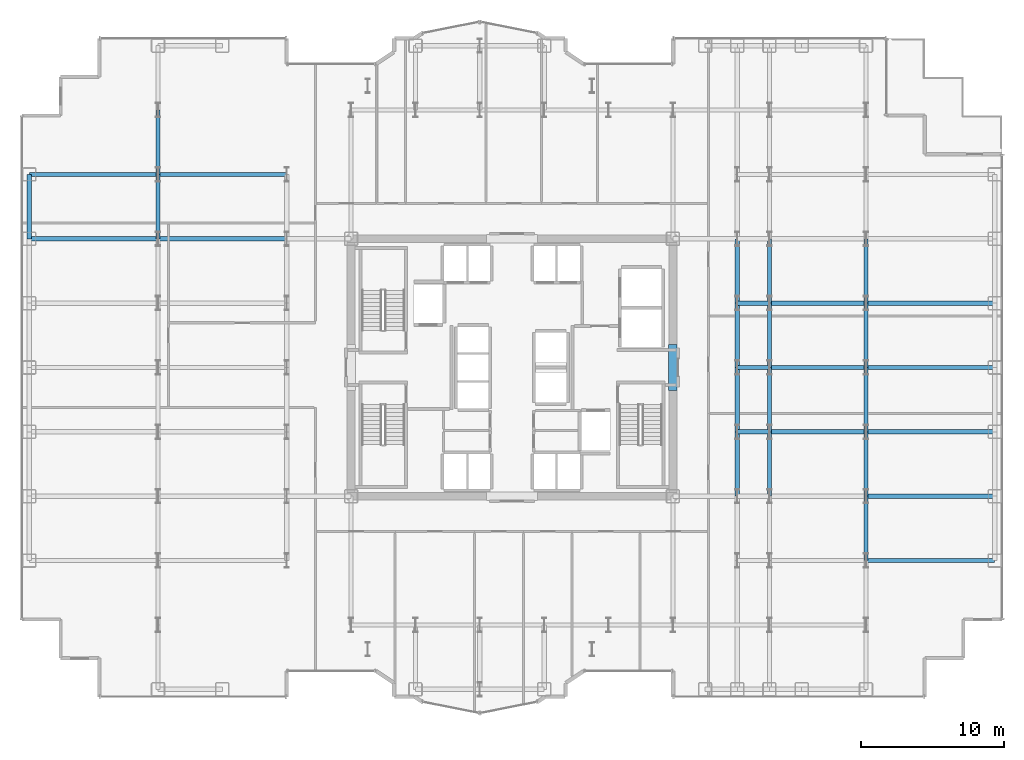
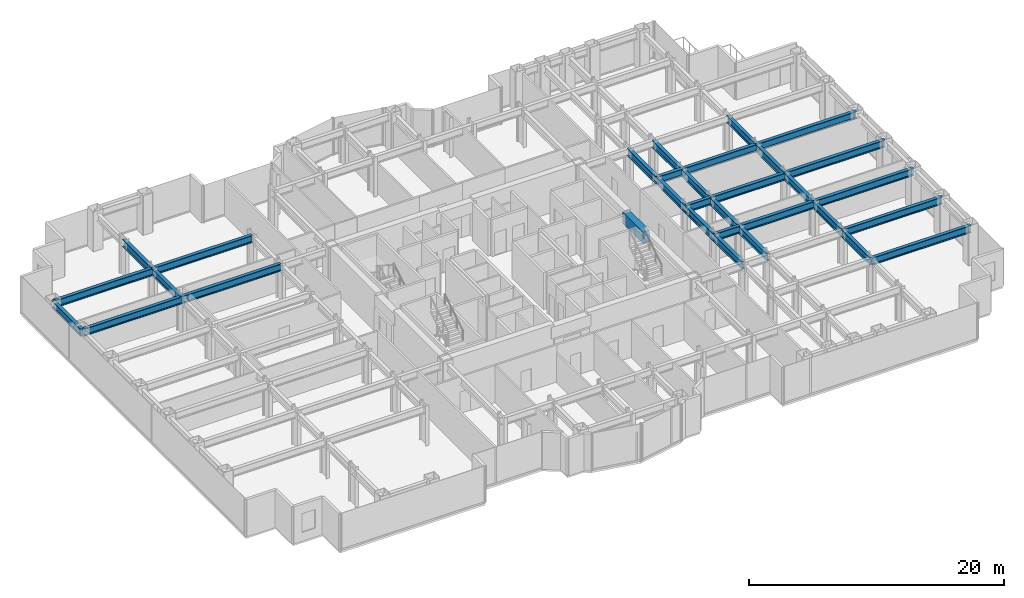
# One storey, part 8 of 26: 32 beams.
"""IFC4 building model written with IfcOpenShell, lengths in metres."""

from ifc_helpers import new_model, si_unit, direction, frame, origin, origin_2d, place, context, subcontext, project, spatial, rectangle, i_section, extrude, source, transform, mapped, material, material_profile, profile_set, type_object, element, save


model = new_model("IFC4")

# Units and contexts
model_context = context("Model", 3, precision=1e-05, world=origin(), true_north=direction((0.0, 1.0)))
body_context = subcontext(model_context, "Body", "Model", "MODEL_VIEW")
ifc_project = project(units=[si_unit("LENGTHUNIT", "METRE"), si_unit("AREAUNIT", "SQUARE_METRE"), si_unit("VOLUMEUNIT", "CUBIC_METRE"), si_unit("PLANEANGLEUNIT", "RADIAN"), si_unit("MASSUNIT", "GRAM", prefix="KILO")], contexts=[model_context])

# Site, building, storey
site_placement = place(None, origin())
site = spatial("IfcSite", under=ifc_project, at=site_placement, CompositionType="ELEMENT")
building_placement = place(site_placement, origin())
building = spatial("IfcBuilding", under=site, at=building_placement, Name="Nefas-Gora Pilgrimage Tower", CompositionType="ELEMENT")
storey_placement = place(building_placement, frame((0.0, 0.0, 106.0)))
storey = spatial("IfcBuildingStorey", under=building, at=storey_placement, Name="L25", CompositionType="ELEMENT", Elevation=106.0)

# Beams
ifc_material_1 = material(Name="Concrete C60/75", Category="concrete")
ifc_material_profile_1 = material_profile(ifc_material_1, rectangle(XDim=0.60009765625, YDim=1.10009765625, at=origin_2d()), Name="RC 600x1100")
ifc_profile_set_1 = profile_set([ifc_material_profile_1], Name="Concrete C60/75")
beam_type_1 = type_object("IfcBeamType", Name="BM-LIN-RC1100", PredefinedType="LINTEL", material=ifc_profile_set_1)
shared_shape_1 = source(origin(), body_context, "Body", "SweptSolid", [
    extrude(rectangle(XDim=0.60009765625, YDim=1.10009765625, at=origin_2d()), origin(), (0.0, 0.0, 1.0), 3.2001953125),
])
beam_1_placement = place(storey_placement, frame((11.25, -1.60009765625, 3.0), z_axis=(0.0, 1.0, 0.0), x_axis=(-1.0, 0.0, 0.0)))
element("IfcBeam", 1, at=beam_1_placement, inside=storey, type_object=beam_type_1, Name="L25 Core Coupling Lintel Beam E", PredefinedType="LINTEL", context=body_context, shape_type="MappedRepresentation", body=[
    mapped(shared_shape_1, transform((0.0, 0.0, 0.0), x_axis=(1.0, 0.0, 0.0), y_axis=(0.0, 1.0, 0.0), z_axis=(0.0, 0.0, 1.0), scale=1.0)),
])
ifc_material_2 = material(Name="Steel S355", Category="steel")
ifc_material_profile_2 = material_profile(ifc_material_2, i_section(OverallWidth=0.300048828125, OverallDepth=0.699951171875, WebThickness=0.01708984375, FlangeThickness=0.031982421875, FilletRadius=0.027099609375, at=origin_2d()), Name="HEB 700")
ifc_profile_set_2 = profile_set([ifc_material_profile_2], Name="Steel S355")
beam_type_2 = type_object("IfcBeamType", Name="BM-SPN-HEB600", PredefinedType="SPANDREL", material=ifc_profile_set_2)
shared_shape_2 = source(origin(), body_context, "Body", "SweptSolid", [
    extrude(i_section(OverallWidth=0.300048828125, OverallDepth=0.699951171875, WebThickness=0.01708984375, FlangeThickness=0.031982421875, FilletRadius=0.027099609375, at=origin_2d()), origin(), (0.0, 0.0, 1.0), 4.5),
])
beam_2_placement = place(storey_placement, frame((-33.75, 9.0, 3.199951171875), z_axis=(0.0, 1.0, 0.0), x_axis=(-1.0, 0.0, 0.0)))
element("IfcBeam", 2, at=beam_2_placement, inside=storey, type_object=beam_type_2, Name="L25 SP-01 beam", PredefinedType="SPANDREL", context=body_context, shape_type="MappedRepresentation", body=[
    mapped(shared_shape_2, transform((0.0, 0.0, 0.0), x_axis=(1.0, 0.0, 0.0), y_axis=(0.0, 1.0, 0.0), z_axis=(0.0, 0.0, 1.0), scale=1.0)),
])
ifc_material_profile_3 = material_profile(ifc_material_2, i_section(OverallWidth=0.300048828125, OverallDepth=0.699951171875, WebThickness=0.01708984375, FlangeThickness=0.031982421875, FilletRadius=0.027099609375, at=origin_2d()), Name="HEB 700")
ifc_profile_set_3 = profile_set([ifc_material_profile_3], Name="Steel S355")
beam_type_3 = type_object("IfcBeamType", Name="BM-GIR-HEB700", PredefinedType="BEAM", material=ifc_profile_set_3)
shared_shape_3 = source(origin(), body_context, "Body", "SweptSolid", [
    extrude(i_section(OverallWidth=0.300048828125, OverallDepth=0.699951171875, WebThickness=0.01708984375, FlangeThickness=0.031982421875, FilletRadius=0.027099609375, at=origin_2d()), origin(), (0.0, 0.0, 1.0), 9.0),
])
for number, where, z_axis, x_axis, name in (
    (3, (-33.75, 9.0, 3.199951171875), (1.0, 0.0, 0.0), (0.0, 1.0, 0.0), "L25 G-02 beam"),
    (4, (-33.75, 13.5, 3.199951171875), (1.0, 0.0, 0.0), (0.0, 1.0, 0.0), "L25 G-02 beam"),
    (5, (-24.75, 9.0, 3.199951171875), (1.0, 0.0, 0.0), (0.0, 1.0, 0.0), "L25 G-02 beam"),
    (6, (-24.75, 13.5, 3.199951171875), (1.0, 0.0, 0.0), (0.0, 1.0, 0.0), "L25 G-02 beam"),
    (7, (24.75, -13.5, 3.199951171875), (1.0, 0.0, 0.0), (0.0, 1.0, 0.0), "L25 G-02 beam"),
    (8, (24.75, -9.0, 3.199951171875), (1.0, 0.0, 0.0), (0.0, 1.0, 0.0), "L25 G-02 beam"),
    (9, (24.75, -4.5, 3.199951171875), (1.0, 0.0, 0.0), (0.0, 1.0, 0.0), "L25 G-02 beam"),
    (10, (24.75, 0.0, 3.199951171875), (1.0, 0.0, 0.0), (0.0, 1.0, 0.0), "L25 G-02 beam"),
    (11, (24.75, 4.5, 3.199951171875), (1.0, 0.0, 0.0), (0.0, 1.0, 0.0), "L25 G-02 beam"),
):
    element("IfcBeam", number, at=place(storey_placement, frame(where, z_axis=z_axis, x_axis=x_axis)), inside=storey, type_object=beam_type_3, Name=name, PredefinedType="BEAM", context=body_context, shape_type="MappedRepresentation", body=[
        mapped(shared_shape_3, transform((0.0, 0.0, 0.0), x_axis=(1.0, 0.0, 0.0), y_axis=(0.0, 1.0, 0.0), z_axis=(0.0, 0.0, 1.0), scale=1.0)),
    ])
shared_shape_4 = source(origin(), body_context, "Body", "SweptSolid", [
    extrude(i_section(OverallWidth=0.300048828125, OverallDepth=0.699951171875, WebThickness=0.01708984375, FlangeThickness=0.031982421875, FilletRadius=0.027099609375, at=origin_2d()), origin(), (0.0, 0.0, 1.0), 4.5),
])
for number, where, z_axis, x_axis, name in (
    (12, (-24.75, 9.0, 3.199951171875), (0.0, 1.0, 0.0), (-1.0, 0.0, 0.0), "L25 G-02 beam"),
    (13, (-24.75, 13.5, 3.199951171875), (0.0, 1.0, 0.0), (-1.0, 0.0, 0.0), "L25 G-02 beam"),
    (14, (15.75, -9.0, 3.199951171875), (0.0, 1.0, 0.0), (-1.0, 0.0, 0.0), "L25 G-02 beam"),
    (15, (15.75, -4.5, 3.199951171875), (0.0, 1.0, 0.0), (-1.0, 0.0, 0.0), "L25 G-02 beam"),
    (16, (15.75, 0.0, 3.199951171875), (0.0, 1.0, 0.0), (-1.0, 0.0, 0.0), "L25 G-02 beam"),
    (17, (15.75, 4.5, 3.199951171875), (0.0, 1.0, 0.0), (-1.0, 0.0, 0.0), "L25 G-02 beam"),
    (18, (18.0, -9.0, 3.199951171875), (0.0, 1.0, 0.0), (-1.0, 0.0, 0.0), "L25 G-02 beam"),
    (19, (18.0, -4.5, 3.199951171875), (0.0, 1.0, 0.0), (-1.0, 0.0, 0.0), "L25 G-02 beam"),
    (20, (18.0, 0.0, 3.199951171875), (0.0, 1.0, 0.0), (-1.0, 0.0, 0.0), "L25 G-02 beam"),
    (21, (18.0, 4.5, 3.199951171875), (0.0, 1.0, 0.0), (-1.0, 0.0, 0.0), "L25 G-02 beam"),
    (22, (24.75, -13.5, 3.199951171875), (0.0, 1.0, 0.0), (-1.0, 0.0, 0.0), "L25 G-02 beam"),
    (23, (24.75, -9.0, 3.199951171875), (0.0, 1.0, 0.0), (-1.0, 0.0, 0.0), "L25 G-02 beam"),
    (24, (24.75, -4.5, 3.199951171875), (0.0, 1.0, 0.0), (-1.0, 0.0, 0.0), "L25 G-02 beam"),
    (25, (24.75, 0.0, 3.199951171875), (0.0, 1.0, 0.0), (-1.0, 0.0, 0.0), "L25 G-02 beam"),
    (26, (24.75, 4.5, 3.199951171875), (0.0, 1.0, 0.0), (-1.0, 0.0, 0.0), "L25 G-02 beam"),
):
    element("IfcBeam", number, at=place(storey_placement, frame(where, z_axis=z_axis, x_axis=x_axis)), inside=storey, type_object=beam_type_3, Name=name, PredefinedType="BEAM", context=body_context, shape_type="MappedRepresentation", body=[
        mapped(shared_shape_4, transform((0.0, 0.0, 0.0), x_axis=(1.0, 0.0, 0.0), y_axis=(0.0, 1.0, 0.0), z_axis=(0.0, 0.0, 1.0), scale=1.0)),
    ])
shared_shape_5 = source(origin(), body_context, "Body", "SweptSolid", [
    extrude(i_section(OverallWidth=0.300048828125, OverallDepth=0.699951171875, WebThickness=0.01708984375, FlangeThickness=0.031982421875, FilletRadius=0.027099609375, at=origin_2d()), origin(), (0.0, 0.0, 1.0), 6.75),
])
for number, where, z_axis, x_axis, name in (
    (27, (18.0, -4.5, 3.199951171875), (1.0, 0.0, 0.0), (0.0, 1.0, 0.0), "L25 G-02 beam"),
    (28, (18.0, 0.0, 3.199951171875), (1.0, 0.0, 0.0), (0.0, 1.0, 0.0), "L25 G-02 beam"),
    (29, (18.0, 4.5, 3.199951171875), (1.0, 0.0, 0.0), (0.0, 1.0, 0.0), "L25 G-02 beam"),
):
    element("IfcBeam", number, at=place(storey_placement, frame(where, z_axis=z_axis, x_axis=x_axis)), inside=storey, type_object=beam_type_3, Name=name, PredefinedType="BEAM", context=body_context, shape_type="MappedRepresentation", body=[
        mapped(shared_shape_5, transform((0.0, 0.0, 0.0), x_axis=(1.0, 0.0, 0.0), y_axis=(0.0, 1.0, 0.0), z_axis=(0.0, 0.0, 1.0), scale=1.0)),
    ])
shared_shape_6 = source(origin(), body_context, "Body", "SweptSolid", [
    extrude(i_section(OverallWidth=0.300048828125, OverallDepth=0.699951171875, WebThickness=0.01708984375, FlangeThickness=0.031982421875, FilletRadius=0.027099609375, at=origin_2d()), origin(), (0.0, 0.0, 1.0), 2.25),
])
for number, where, z_axis, x_axis, name in (
    (30, (15.75, -4.5, 3.199951171875), (1.0, 0.0, 0.0), (0.0, 1.0, 0.0), "L25 G-02 beam"),
    (31, (15.75, 0.0, 3.199951171875), (1.0, 0.0, 0.0), (0.0, 1.0, 0.0), "L25 G-02 beam"),
    (32, (15.75, 4.5, 3.199951171875), (1.0, 0.0, 0.0), (0.0, 1.0, 0.0), "L25 G-02 beam"),
):
    element("IfcBeam", number, at=place(storey_placement, frame(where, z_axis=z_axis, x_axis=x_axis)), inside=storey, type_object=beam_type_3, Name=name, PredefinedType="BEAM", context=body_context, shape_type="MappedRepresentation", body=[
        mapped(shared_shape_6, transform((0.0, 0.0, 0.0), x_axis=(1.0, 0.0, 0.0), y_axis=(0.0, 1.0, 0.0), z_axis=(0.0, 0.0, 1.0), scale=1.0)),
    ])

save(model, "model.ifc")
